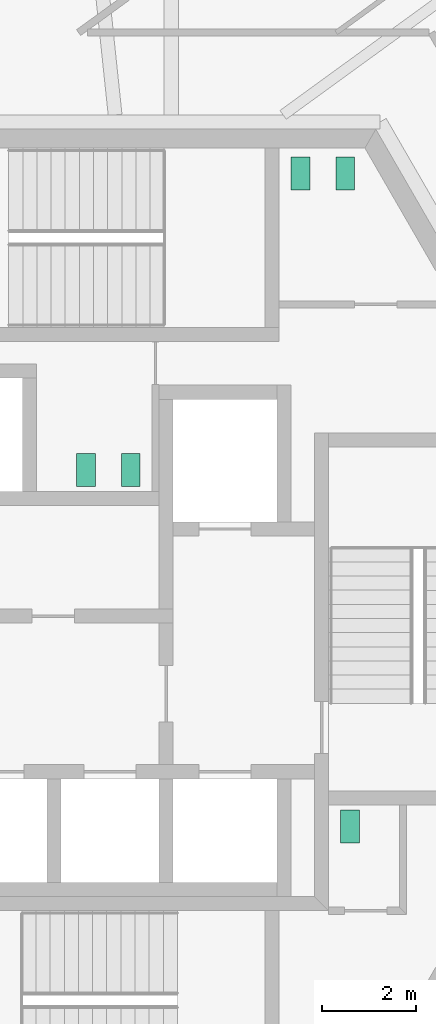
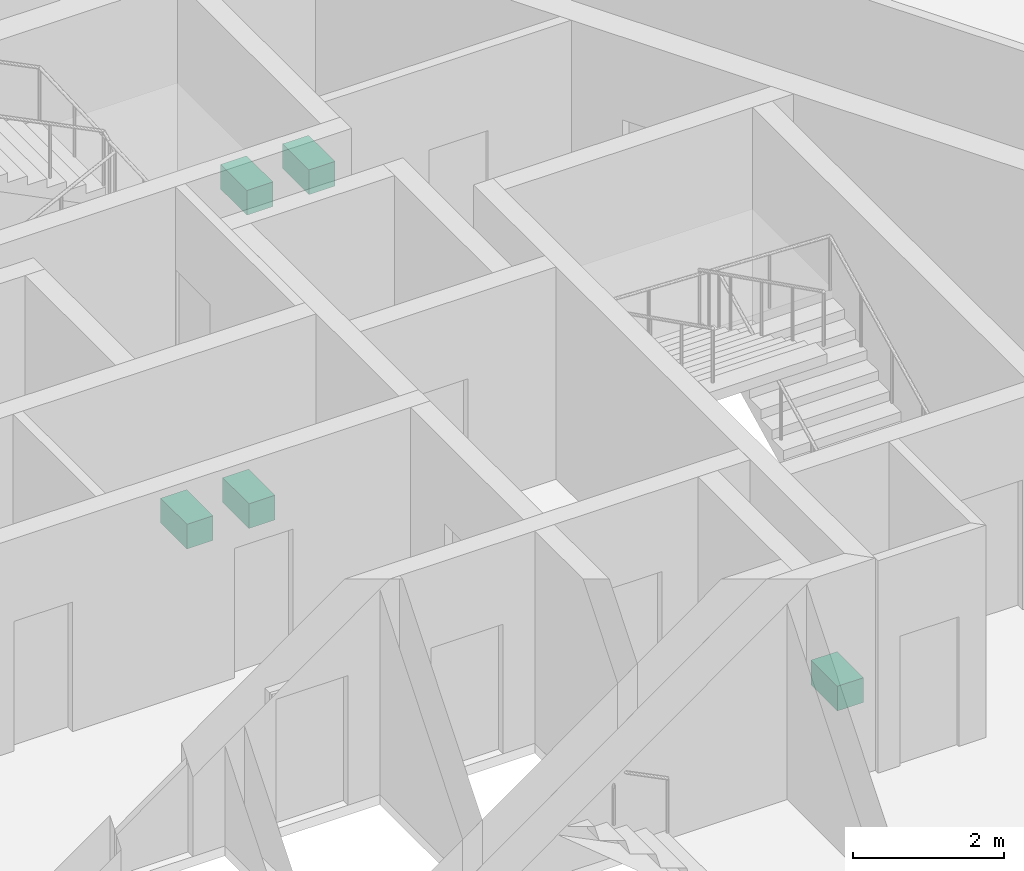
# One storey, part 16 of 18: 5 sanitary terminals.
"""IFC4 building model written with IfcOpenShell, lengths in metres."""

from ifc_helpers import new_model, si_unit, direction, frame, origin, origin_2d, place, context, subcontext, project, spatial, rectangle, extrude, source, transform, mapped, material, element, save


model = new_model("IFC4")

# Units and contexts
model_context = context("Model", 3, precision=1e-05, world=origin(), true_north=direction((0.0, 1.0)))
body_context = subcontext(model_context, "Body", "Model", "MODEL_VIEW")
ifc_project = project(units=[si_unit("LENGTHUNIT", "METRE"), si_unit("AREAUNIT", "SQUARE_METRE"), si_unit("VOLUMEUNIT", "CUBIC_METRE"), si_unit("PLANEANGLEUNIT", "RADIAN"), si_unit("MASSUNIT", "GRAM", prefix="KILO")], contexts=[model_context])

# Site, building, storey
site_placement = place(None, origin())
site = spatial("IfcSite", under=ifc_project, at=site_placement, CompositionType="ELEMENT")
building_placement = place(site_placement, origin())
building = spatial("IfcBuilding", under=site, at=building_placement, Name="Triune Harvest Tower", CompositionType="ELEMENT")
storey_placement = place(building_placement, frame((0.0, 0.0, 237.699951171875)))
storey = spatial("IfcBuildingStorey", under=building, at=storey_placement, Name="L62", CompositionType="ELEMENT", Elevation=237.699951171875)

# Sanitary terminals
ifc_material = material(Name="Vitreous china")
shared_shape = source(origin(), body_context, "Body", "SweptSolid", [
    extrude(rectangle(XDim=0.39990234375, YDim=0.699951171875, at=origin_2d()), origin(), (0.0, 0.0, 1.0), 0.39990234375),
])
for number, where, z_axis, x_axis, name in (
    (1, (4.39990234375, 9.449951171875, 0.0), (0.0, 0.0, 1.0), (1.0, 0.0, 0.0), "Toilet pan L62.c01"),
    (2, (5.35009765625, 9.449951171875, 0.0), (0.0, 0.0, 1.0), (1.0, 0.0, 0.0), "Toilet pan L62.c02"),
    (3, (0.800048828125, 3.159912109375, 0.0), (0.0, 0.0, 1.0), (-1.0, 0.0, 0.0), "Toilet pan L62.c03"),
    (4, (-0.14990234375, 3.159912109375, 0.0), (0.0, 0.0, 1.0), (-1.0, 0.0, 0.0), "Toilet pan L62.c04"),
    (5, (5.449951171875, -4.39990234375, 0.0), (0.0, 0.0, 1.0), (1.0, 0.0, 0.0), "Toilet pan L62.c05"),
):
    element("IfcSanitaryTerminal", number, at=place(storey_placement, frame(where, z_axis=z_axis, x_axis=x_axis)), inside=storey, material=ifc_material, Name=name, PredefinedType="TOILETPAN", context=body_context, shape_type="MappedRepresentation", body=[
        mapped(shared_shape, transform((0.0, 0.0, 0.0), scale=1.0)),
    ])

save(model, "model.ifc")
